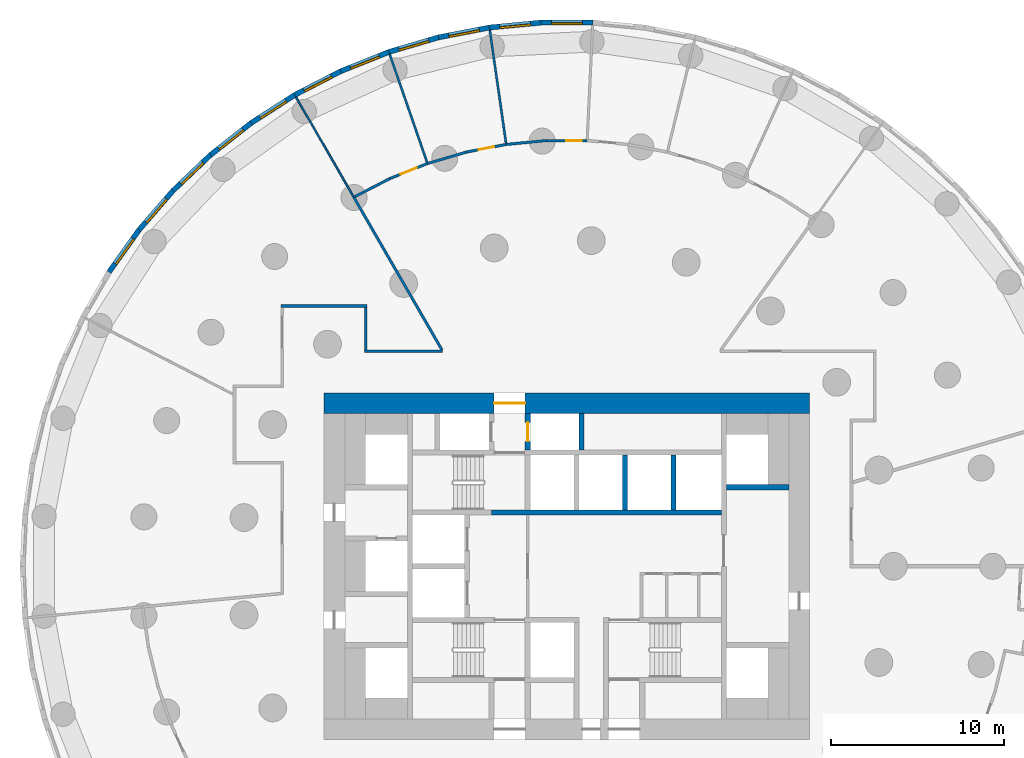
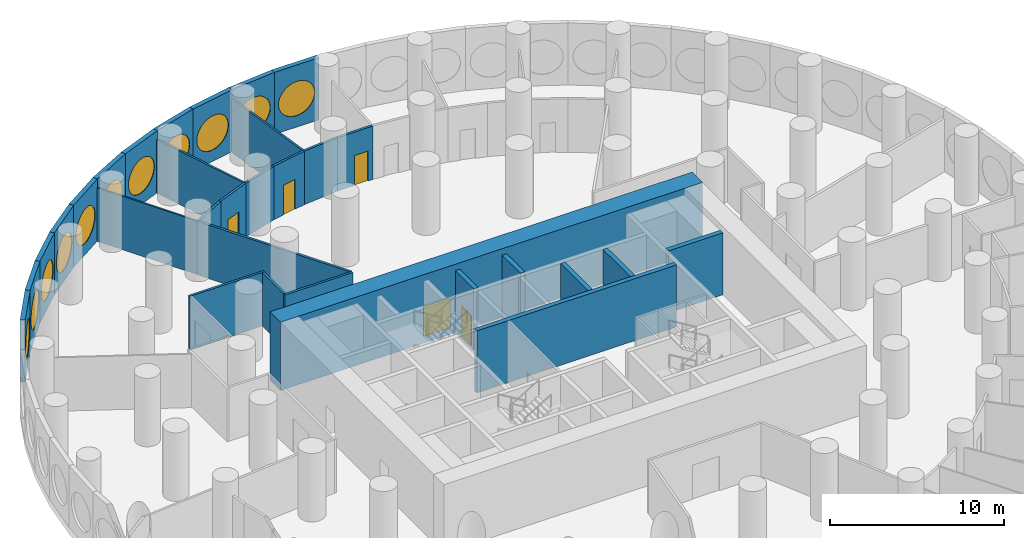
# One storey, part 7 of 11: 31 walls, 11 windows, 5 doors, 16 openings.
"""IFC4 building model written with IfcOpenShell, lengths in metres."""

from ifc_helpers import new_model, si_unit, direction, frame, frame_2d, origin, origin_2d, place, context, subcontext, project, spatial, rectangle, circle, extrude, material, layer, layer_set, type_object, element, fill, save


model = new_model("IFC4")

# Units and contexts
model_context = context("Model", 3, precision=1e-05, world=origin(), true_north=direction((0.0, 1.0)))
body_context = subcontext(model_context, "Body", "Model", "MODEL_VIEW")
ifc_project = project(units=[si_unit("LENGTHUNIT", "METRE"), si_unit("AREAUNIT", "SQUARE_METRE"), si_unit("VOLUMEUNIT", "CUBIC_METRE"), si_unit("PLANEANGLEUNIT", "RADIAN"), si_unit("MASSUNIT", "GRAM", prefix="KILO")], contexts=[model_context])

# Site, building, storey
site_placement = place(None, origin())
site = spatial("IfcSite", under=ifc_project, at=site_placement, CompositionType="ELEMENT")
building_placement = place(site_placement, origin())
building = spatial("IfcBuilding", under=site, at=building_placement, Name="Tracery Tower", CompositionType="ELEMENT")
storey_placement = place(building_placement, frame((0.0, 0.0, 18.60009765625)))
storey = spatial("IfcBuildingStorey", under=building, at=storey_placement, Name="L03", CompositionType="ELEMENT", Elevation=18.60009765625)

# Wall, opening, door
ifc_material_1 = material(Name="Concrete C60/75", Category="concrete")
ifc_layer_1 = layer(ifc_material_1, 1.199951171875)
ifc_layer_set_1 = layer_set([ifc_layer_1], Name="Core wall 1200 C60")
wall_type_1 = type_object("IfcWallType", Name="Core wall 1200 C60", PredefinedType="SOLIDWALL", material=ifc_layer_set_1)
wall_1_placement = place(storey_placement, frame((-14.0, 9.39990234375, 0.0), z_axis=(0.0, 0.0, 1.0), x_axis=(1.0, 0.0, 0.0)))
wall_1 = element("IfcWall", 1, at=wall_1_placement, inside=storey, type_object=wall_type_1, Name="L03 outer N", PredefinedType="SOLIDWALL", context=body_context, shape_type="SweptSolid", body=[
    extrude(rectangle(XDim=28.0, YDim=1.199951171875, at=frame_2d((14.0, 0.0))), origin(), (0.0, 0.0, 1.0), 4.7998046875),
])
opening_1_placement = place(wall_1_placement, frame((9.800048828125, 0.0, 0.0)))
opening_1 = element("IfcOpeningElement", 2, at=opening_1_placement, cuts=wall_1, Name="Opening KD13", PredefinedType="OPENING", context=body_context, shape_type="SweptSolid", body=[
    extrude(rectangle(XDim=1.800048828125, YDim=2.10009765625, at=frame_2d((0.89990234375, 1.050048828125))), frame((0.0, 0.60009765625, 0.0), z_axis=(0.0, -1.0, 0.0), x_axis=(1.0, 0.0, 0.0)), (0.0, 0.0, 1.0), 1.199951171875),
])
ifc_material_2 = material(Name="Steel fire door", Category="steel")
door_type_1 = type_object("IfcDoorType", Name="Core exit door 1800 double", OperationType="NOTDEFINED", PredefinedType="DOOR", material=ifc_material_2)
door_1_placement = place(opening_1_placement, origin())
door_1 = element("IfcDoor", 3, at=door_1_placement, inside=storey, type_object=door_type_1, Name="Core exit door", OperationType="DOUBLE_DOOR_SINGLE_SWING", OverallHeight=2.10009765625, OverallWidth=1.800048828125, PredefinedType="DOOR", context=body_context, shape_type="SweptSolid", body=[
    extrude(rectangle(XDim=1.800048828125, YDim=2.10009765625, at=frame_2d((0.89990234375, 1.050048828125))), frame((0.0, 0.02490234375, 0.0), z_axis=(0.0, -1.0, 0.0), x_axis=(1.0, 0.0, 0.0)), (0.0, 0.0, 1.0), 0.050048828125),
])
fill(opening_1, door_1)

# Walls
ifc_material_3 = material(Name="Plasterboard on steel studs", Category="steel")
ifc_layer_2 = layer(ifc_material_3, 0.14990234375)
ifc_layer_set_2 = layer_set([ifc_layer_2], Name="Corridor partition 150")
wall_type_2 = type_object("IfcWallType", Name="Corridor partition 150", PredefinedType="PARTITIONING", material=ifc_layer_set_2)
wall_2_placement = place(storey_placement, frame((-12.283447265625, 21.275390625, 0.0), z_axis=(0.0, 0.0, 1.0), x_axis=(0.500014995272, -0.866016746087, 0.0)))
element("IfcWall", 4, at=wall_2_placement, inside=storey, type_object=wall_type_2, Name="Corridor partition 150", PredefinedType="PARTITIONING", context=body_context, shape_type="SweptSolid", body=[
    extrude(rectangle(XDim=10.161865234375, YDim=0.14990234375, at=frame_2d((5.0810546875, 0.0))), origin(), (0.0, 0.0, 1.0), 3.75),
])
wall_3_placement = place(storey_placement, frame((-11.59765625, 12.47509765625, 0.0), z_axis=(0.0, 0.0, 1.0), x_axis=(0.0, 1.0, 0.0)))
element("IfcWall", 5, at=wall_3_placement, inside=storey, type_object=wall_type_2, Name="Corridor partition 150", PredefinedType="PARTITIONING", context=body_context, shape_type="SweptSolid", body=[
    extrude(rectangle(XDim=2.452392578125, YDim=0.14990234375, at=frame_2d((1.22607421875, 0.0))), origin(), (0.0, 0.0, 1.0), 3.75),
])
wall_4_placement = place(storey_placement, frame((-11.522705078125, 15.00244140625, 0.0), z_axis=(0.0, 0.0, 1.0), x_axis=(-1.0, 0.0, 0.0)))
element("IfcWall", 6, at=wall_4_placement, inside=storey, type_object=wall_type_2, Name="Corridor partition 150", PredefinedType="PARTITIONING", context=body_context, shape_type="SweptSolid", body=[
    extrude(rectangle(XDim=4.952392578125, YDim=0.14990234375, at=frame_2d((2.47607421875, 0.0))), origin(), (0.0, 0.0, 1.0), 3.75),
])
wall_5_placement = place(storey_placement, frame((-10.205322265625, 22.3466796875, 0.0), z_axis=(0.0, 0.0, 1.0), x_axis=(-0.888857404952, -0.458183929947, 0.0)))
element("IfcWall", 7, at=wall_5_placement, inside=storey, type_object=wall_type_2, Name="Corridor partition 150", PredefinedType="PARTITIONING", context=body_context, shape_type="SweptSolid", body=[
    extrude(rectangle(XDim=2.262939453125, YDim=0.14990234375, at=frame_2d((1.13134765625, 0.0))), origin(), (0.0, 0.0, 1.0), 3.75),
])

# Wall, opening, door
wall_6_placement = place(storey_placement, frame((-10.205322265625, 22.3466796875, 0.0), z_axis=(0.0, 0.0, 1.0), x_axis=(0.92836862221, 0.371660734133, 0.0)))
wall_6 = element("IfcWall", 8, at=wall_6_placement, inside=storey, type_object=wall_type_2, Name="Corridor partition 150", PredefinedType="PARTITIONING", context=body_context, shape_type="SweptSolid", body=[
    extrude(rectangle(XDim=2.337890625, YDim=0.14990234375, at=frame_2d((1.1689453125, 0.0))), origin(), (0.0, 0.0, 1.0), 3.75),
])
opening_2_placement = place(wall_6_placement, frame((0.6689453125, 0.0, 0.0)))
opening_2 = element("IfcOpeningElement", 9, at=opening_2_placement, cuts=wall_6, Name="Opening SB-L03-08", PredefinedType="OPENING", context=body_context, shape_type="SweptSolid", body=[
    extrude(rectangle(XDim=1.0, YDim=2.10009765625, at=frame_2d((0.5, 1.050048828125))), frame((0.0, 0.074951171875, 0.0), z_axis=(0.0, -1.0, 0.0), x_axis=(1.0, 0.0, 0.0)), (0.0, 0.0, 1.0), 0.14990234375),
])
ifc_material_4 = material(Name="Timber door leaf", Category="wood")
door_type_2 = type_object("IfcDoorType", Name="Public room door 1000", OperationType="NOTDEFINED", PredefinedType="DOOR", material=ifc_material_4)
door_2_placement = place(opening_2_placement, origin())
door_2 = element("IfcDoor", 10, at=door_2_placement, inside=storey, type_object=door_type_2, Name="Public room door 1000", OperationType="SINGLE_SWING_RIGHT", OverallHeight=2.10009765625, OverallWidth=1.0, PredefinedType="DOOR", context=body_context, shape_type="SweptSolid", body=[
    extrude(rectangle(XDim=1.0, YDim=2.10009765625, at=frame_2d((0.5, 1.050048828125))), frame((0.0, 0.02490234375, 0.0), z_axis=(0.0, -1.0, 0.0), x_axis=(1.0, 0.0, 0.0)), (0.0, 0.0, 1.0), 0.050048828125),
])
fill(opening_2, door_2)

# Walls
wall_7_placement = place(storey_placement, frame((-7.1591796875, 12.39990234375, 0.0), z_axis=(0.0, 0.0, 1.0), x_axis=(-1.0, 0.0, 0.0)))
element("IfcWall", 11, at=wall_7_placement, inside=storey, type_object=wall_type_2, Name="Corridor partition 150", PredefinedType="PARTITIONING", context=body_context, shape_type="SweptSolid", body=[
    extrude(rectangle(XDim=4.513427734375, YDim=0.14990234375, at=frame_2d((2.2568359375, 0.0))), origin(), (0.0, 0.0, 1.0), 3.75),
])
wall_8_placement = place(storey_placement, frame((-5.791748046875, 23.874267578125, 0.0), z_axis=(0.0, 0.0, 1.0), x_axis=(-0.959488462959, -0.28174791827, 0.0)))
element("IfcWall", 12, at=wall_8_placement, inside=storey, type_object=wall_type_2, Name="Corridor partition 150", PredefinedType="PARTITIONING", context=body_context, shape_type="SweptSolid", body=[
    extrude(rectangle(XDim=2.337890625, YDim=0.14990234375, at=frame_2d((1.1689453125, 0.0))), origin(), (0.0, 0.0, 1.0), 3.75),
])

# Wall, opening, door
wall_9_placement = place(storey_placement, frame((-5.791748046875, 23.874267578125, 0.0), z_axis=(0.0, 0.0, 1.0), x_axis=(0.981934124814, 0.189223081374, 0.0)))
wall_9 = element("IfcWall", 13, at=wall_9_placement, inside=storey, type_object=wall_type_2, Name="Corridor partition 150", PredefinedType="PARTITIONING", context=body_context, shape_type="SweptSolid", body=[
    extrude(rectangle(XDim=2.337890625, YDim=0.14990234375, at=frame_2d((1.1689453125, 0.0))), origin(), (0.0, 0.0, 1.0), 3.75),
])
opening_3_placement = place(wall_9_placement, frame((0.718994140625, 0.0, 0.0)))
opening_3 = element("IfcOpeningElement", 14, at=opening_3_placement, cuts=wall_9, Name="Opening SB-L03-07", PredefinedType="OPENING", context=body_context, shape_type="SweptSolid", body=[
    extrude(rectangle(XDim=0.89990234375, YDim=2.10009765625, at=frame_2d((0.449951171875, 1.050048828125))), frame((0.0, 0.074951171875, 0.0), z_axis=(0.0, -1.0, 0.0), x_axis=(1.0, 0.0, 0.0)), (0.0, 0.0, 1.0), 0.14990234375),
])
ifc_material_5 = material(Name="Timber door leaf", Category="wood")
door_type_3 = type_object("IfcDoorType", Name="Room door 900", OperationType="NOTDEFINED", PredefinedType="DOOR", material=ifc_material_5)
door_3_placement = place(opening_3_placement, origin())
door_3 = element("IfcDoor", 15, at=door_3_placement, inside=storey, type_object=door_type_3, Name="Room door 900", OperationType="SINGLE_SWING_RIGHT", OverallHeight=2.10009765625, OverallWidth=0.89990234375, PredefinedType="DOOR", context=body_context, shape_type="SweptSolid", body=[
    extrude(rectangle(XDim=0.89990234375, YDim=2.10009765625, at=frame_2d((0.449951171875, 1.050048828125))), frame((0.0, 0.02490234375, 0.0), z_axis=(0.0, -1.0, 0.0), x_axis=(1.0, 0.0, 0.0)), (0.0, 0.0, 1.0), 0.050048828125),
])
fill(opening_3, door_3)

# Wall
wall_10_placement = place(storey_placement, frame((-1.1689453125, 24.538818359375, 0.0), z_axis=(0.0, 0.0, 1.0), x_axis=(-0.995473855736, -0.095035796131, 0.0)))
element("IfcWall", 16, at=wall_10_placement, inside=storey, type_object=wall_type_2, Name="Corridor partition 150", PredefinedType="PARTITIONING", context=body_context, shape_type="SweptSolid", body=[
    extrude(rectangle(XDim=2.337646484375, YDim=0.14990234375, at=frame_2d((1.1689453125, 0.0))), origin(), (0.0, 0.0, 1.0), 3.75),
])

# Wall, opening, door
wall_11_placement = place(storey_placement, frame((-1.1689453125, 24.538818359375, 0.0), z_axis=(0.0, 0.0, 1.0), x_axis=(1.0, 0.0, 0.0)))
wall_11 = element("IfcWall", 17, at=wall_11_placement, inside=storey, type_object=wall_type_2, Name="Corridor partition 150", PredefinedType="PARTITIONING", context=body_context, shape_type="SweptSolid", body=[
    extrude(rectangle(XDim=2.337890625, YDim=0.14990234375, at=frame_2d((1.1689453125, 0.0))), origin(), (0.0, 0.0, 1.0), 3.75),
])
opening_4_placement = place(wall_11_placement, frame((1.118896484375, 0.0, 0.0)))
opening_4 = element("IfcOpeningElement", 18, at=opening_4_placement, cuts=wall_11, Name="Opening SB-L03-06", PredefinedType="OPENING", context=body_context, shape_type="SweptSolid", body=[
    extrude(rectangle(XDim=0.89990234375, YDim=2.10009765625, at=frame_2d((0.449951171875, 1.050048828125))), frame((0.0, 0.074951171875, 0.0), z_axis=(0.0, -1.0, 0.0), x_axis=(1.0, 0.0, 0.0)), (0.0, 0.0, 1.0), 0.14990234375),
])
door_4_placement = place(opening_4_placement, origin())
door_4 = element("IfcDoor", 19, at=door_4_placement, inside=storey, type_object=door_type_3, Name="Room door 900", OperationType="SINGLE_SWING_RIGHT", OverallHeight=2.10009765625, OverallWidth=0.89990234375, PredefinedType="DOOR", context=body_context, shape_type="SweptSolid", body=[
    extrude(rectangle(XDim=0.89990234375, YDim=2.10009765625, at=frame_2d((0.449951171875, 1.050048828125))), frame((0.0, 0.02490234375, 0.0), z_axis=(0.0, -1.0, 0.0), x_axis=(1.0, 0.0, 0.0)), (0.0, 0.0, 1.0), 0.050048828125),
])
fill(opening_4, door_4)

# Wall, opening, window
ifc_material_6 = material(Name="Precast concrete C50/60", Category="concrete")
ifc_layer_3 = layer(ifc_material_6, 0.300048828125)
ifc_layer_set_3 = layer_set([ifc_layer_3], Name="Facade panel 3000 x 4350")
wall_type_3 = type_object("IfcWallType", Name="Facade panel 3000 x 4350", PredefinedType="SOLIDWALL", material=ifc_layer_set_3)
wall_12_placement = place(storey_placement, frame((1.492919921875, 31.3388671875, 0.0), z_axis=(0.0, 0.0, 1.0), x_axis=(-1.0, 0.0, 0.0)))
wall_12 = element("IfcWall", 20, at=wall_12_placement, inside=storey, type_object=wall_type_3, Name="Facade panel 17 at L03", PredefinedType="SOLIDWALL", context=body_context, shape_type="SweptSolid", body=[
    extrude(rectangle(XDim=2.98583984375, YDim=0.300048828125, at=frame_2d((1.492919921875, 0.0))), origin(), (0.0, 0.0, 1.0), 4.349853515625),
])
opening_5_placement = place(wall_12_placement, frame((1.492919921875, 0.0, 2.0)))
opening_5 = element("IfcOpeningElement", 21, at=opening_5_placement, cuts=wall_12, Name="Opening WN2", PredefinedType="OPENING", context=body_context, shape_type="SweptSolid", body=[
    extrude(circle(Radius=1.199951171875, at=origin_2d()), frame((0.0, 0.159912109375, 0.0), z_axis=(0.0, -1.0, 0.0), x_axis=(1.0, 0.0, 0.0)), (0.0, 0.0, 1.0), 0.320068359375),
])
ifc_material_7 = material(Name="Aluminium frame with tinted double glazing", Category="aluminium")
window_type = type_object("IfcWindowType", Name="Round window 2400", PartitioningType="SINGLE_PANEL", PredefinedType="WINDOW", material=ifc_material_7)
window_1_placement = place(opening_5_placement, origin())
window_1 = element("IfcWindow", 22, at=window_1_placement, inside=storey, type_object=window_type, Name="Round window 17 at L03", OverallHeight=2.39990234375, OverallWidth=2.39990234375, PartitioningType="SINGLE_PANEL", PredefinedType="WINDOW", context=body_context, shape_type="SweptSolid", body=[
    extrude(circle(Radius=1.199951171875, at=origin_2d()), frame((0.0, 0.1201171875, 0.0), z_axis=(0.0, -1.0, 0.0), x_axis=(1.0, 0.0, 0.0)), (0.0, 0.0, 1.0), 0.10009765625),
])
fill(opening_5, window_1)

wall_13_placement = place(storey_placement, frame((-1.492919921875, 31.3388671875, 0.0), z_axis=(0.0, 0.0, 1.0), x_axis=(-0.99547560533, -0.095017467833, 0.0)))
wall_13 = element("IfcWall", 23, at=wall_13_placement, inside=storey, type_object=wall_type_3, Name="Facade panel 18 at L03", PredefinedType="SOLIDWALL", context=body_context, shape_type="SweptSolid", body=[
    extrude(rectangle(XDim=2.985595703125, YDim=0.300048828125, at=frame_2d((1.49267578125, 0.0))), origin(), (0.0, 0.0, 1.0), 4.349853515625),
])
opening_6_placement = place(wall_13_placement, frame((1.492919921875, 0.0, 2.0)))
opening_6 = element("IfcOpeningElement", 24, at=opening_6_placement, cuts=wall_13, Name="Opening WN2", PredefinedType="OPENING", context=body_context, shape_type="SweptSolid", body=[
    extrude(circle(Radius=1.199951171875, at=origin_2d()), frame((0.0, 0.159912109375, 0.0), z_axis=(0.0, -1.0, 0.0), x_axis=(1.0, 0.0, 0.0)), (0.0, 0.0, 1.0), 0.320068359375),
])
window_2_placement = place(opening_6_placement, origin())
window_2 = element("IfcWindow", 25, at=window_2_placement, inside=storey, type_object=window_type, Name="Round window 18 at L03", OverallHeight=2.39990234375, OverallWidth=2.39990234375, PartitioningType="SINGLE_PANEL", PredefinedType="WINDOW", context=body_context, shape_type="SweptSolid", body=[
    extrude(circle(Radius=1.199951171875, at=origin_2d()), frame((0.0, 0.1201171875, 0.0), z_axis=(0.0, -1.0, 0.0), x_axis=(1.0, 0.0, 0.0)), (0.0, 0.0, 1.0), 0.10009765625),
])
fill(opening_6, window_2)

wall_14_placement = place(storey_placement, frame((-4.465087890625, 31.05517578125, 0.0), z_axis=(0.0, 0.0, 1.0), x_axis=(-0.981918853666, -0.189302310646, 0.0)))
wall_14 = element("IfcWall", 26, at=wall_14_placement, inside=storey, type_object=wall_type_3, Name="Facade panel 19 at L03", PredefinedType="SOLIDWALL", context=body_context, shape_type="SweptSolid", body=[
    extrude(rectangle(XDim=2.985595703125, YDim=0.300048828125, at=frame_2d((1.49267578125, 0.0))), origin(), (0.0, 0.0, 1.0), 4.349853515625),
])
opening_7_placement = place(wall_14_placement, frame((1.492919921875, 0.0, 2.0)))
opening_7 = element("IfcOpeningElement", 27, at=opening_7_placement, cuts=wall_14, Name="Opening WN2", PredefinedType="OPENING", context=body_context, shape_type="SweptSolid", body=[
    extrude(circle(Radius=1.199951171875, at=origin_2d()), frame((0.0, 0.159912109375, 0.0), z_axis=(0.0, -1.0, 0.0), x_axis=(1.0, 0.0, 0.0)), (0.0, 0.0, 1.0), 0.320068359375),
])
window_3_placement = place(opening_7_placement, origin())
window_3 = element("IfcWindow", 28, at=window_3_placement, inside=storey, type_object=window_type, Name="Round window 19 at L03", OverallHeight=2.39990234375, OverallWidth=2.39990234375, PartitioningType="SINGLE_PANEL", PredefinedType="WINDOW", context=body_context, shape_type="SweptSolid", body=[
    extrude(circle(Radius=1.199951171875, at=origin_2d()), frame((0.0, 0.1201171875, 0.0), z_axis=(0.0, -1.0, 0.0), x_axis=(1.0, 0.0, 0.0)), (0.0, 0.0, 1.0), 0.10009765625),
])
fill(opening_7, window_3)

wall_15_placement = place(storey_placement, frame((-7.396728515625, 30.489990234375, 0.0), z_axis=(0.0, 0.0, 1.0), x_axis=(-0.959502108153, -0.281701445593, 0.0)))
wall_15 = element("IfcWall", 29, at=wall_15_placement, inside=storey, type_object=wall_type_3, Name="Facade panel 20 at L03", PredefinedType="SOLIDWALL", context=body_context, shape_type="SweptSolid", body=[
    extrude(rectangle(XDim=2.985595703125, YDim=0.300048828125, at=frame_2d((1.49267578125, 0.0))), origin(), (0.0, 0.0, 1.0), 4.349853515625),
])
opening_8_placement = place(wall_15_placement, frame((1.492919921875, 0.0, 2.0)))
opening_8 = element("IfcOpeningElement", 30, at=opening_8_placement, cuts=wall_15, Name="Opening WN2", PredefinedType="OPENING", context=body_context, shape_type="SweptSolid", body=[
    extrude(circle(Radius=1.199951171875, at=origin_2d()), frame((0.0, 0.159912109375, 0.0), z_axis=(0.0, -1.0, 0.0), x_axis=(1.0, 0.0, 0.0)), (0.0, 0.0, 1.0), 0.320068359375),
])
window_4_placement = place(opening_8_placement, origin())
window_4 = element("IfcWindow", 31, at=window_4_placement, inside=storey, type_object=window_type, Name="Round window 20 at L03", OverallHeight=2.39990234375, OverallWidth=2.39990234375, PartitioningType="SINGLE_PANEL", PredefinedType="WINDOW", context=body_context, shape_type="SweptSolid", body=[
    extrude(circle(Radius=1.199951171875, at=origin_2d()), frame((0.0, 0.1201171875, 0.0), z_axis=(0.0, -1.0, 0.0), x_axis=(1.0, 0.0, 0.0)), (0.0, 0.0, 1.0), 0.10009765625),
])
fill(opening_8, window_4)

wall_16_placement = place(storey_placement, frame((-10.261474609375, 29.64892578125, 0.0), z_axis=(0.0, 0.0, 1.0), x_axis=(-0.928380795373, -0.371630325434, 0.0)))
wall_16 = element("IfcWall", 32, at=wall_16_placement, inside=storey, type_object=wall_type_3, Name="Facade panel 21 at L03", PredefinedType="SOLIDWALL", context=body_context, shape_type="SweptSolid", body=[
    extrude(rectangle(XDim=2.98583984375, YDim=0.300048828125, at=frame_2d((1.492919921875, 0.0))), origin(), (0.0, 0.0, 1.0), 4.349853515625),
])
opening_9_placement = place(wall_16_placement, frame((1.492919921875, 0.0, 2.0)))
opening_9 = element("IfcOpeningElement", 33, at=opening_9_placement, cuts=wall_16, Name="Opening WN2", PredefinedType="OPENING", context=body_context, shape_type="SweptSolid", body=[
    extrude(circle(Radius=1.199951171875, at=origin_2d()), frame((0.0, 0.159912109375, 0.0), z_axis=(0.0, -1.0, 0.0), x_axis=(1.0, 0.0, 0.0)), (0.0, 0.0, 1.0), 0.320068359375),
])
window_5_placement = place(opening_9_placement, origin())
window_5 = element("IfcWindow", 34, at=window_5_placement, inside=storey, type_object=window_type, Name="Round window 21 at L03", OverallHeight=2.39990234375, OverallWidth=2.39990234375, PartitioningType="SINGLE_PANEL", PredefinedType="WINDOW", context=body_context, shape_type="SweptSolid", body=[
    extrude(circle(Radius=1.199951171875, at=origin_2d()), frame((0.0, 0.1201171875, 0.0), z_axis=(0.0, -1.0, 0.0), x_axis=(1.0, 0.0, 0.0)), (0.0, 0.0, 1.0), 0.10009765625),
])
fill(opening_9, window_5)

wall_17_placement = place(storey_placement, frame((-13.033447265625, 28.539306640625, 0.0), z_axis=(0.0, 0.0, 1.0), x_axis=(-0.888831268481, -0.458234630043, 0.0)))
wall_17 = element("IfcWall", 35, at=wall_17_placement, inside=storey, type_object=wall_type_3, Name="Facade panel 22 at L03", PredefinedType="SOLIDWALL", context=body_context, shape_type="SweptSolid", body=[
    extrude(rectangle(XDim=2.98583984375, YDim=0.300048828125, at=frame_2d((1.492919921875, 0.0))), origin(), (0.0, 0.0, 1.0), 4.349853515625),
])
opening_10_placement = place(wall_17_placement, frame((1.492919921875, 0.0, 2.0)))
opening_10 = element("IfcOpeningElement", 36, at=opening_10_placement, cuts=wall_17, Name="Opening WN2", PredefinedType="OPENING", context=body_context, shape_type="SweptSolid", body=[
    extrude(circle(Radius=1.199951171875, at=origin_2d()), frame((0.0, 0.159912109375, 0.0), z_axis=(0.0, -1.0, 0.0), x_axis=(1.0, 0.0, 0.0)), (0.0, 0.0, 1.0), 0.320068359375),
])
window_6_placement = place(opening_10_placement, origin())
window_6 = element("IfcWindow", 37, at=window_6_placement, inside=storey, type_object=window_type, Name="Round window 22 at L03", OverallHeight=2.39990234375, OverallWidth=2.39990234375, PartitioningType="SINGLE_PANEL", PredefinedType="WINDOW", context=body_context, shape_type="SweptSolid", body=[
    extrude(circle(Radius=1.199951171875, at=origin_2d()), frame((0.0, 0.1201171875, 0.0), z_axis=(0.0, -1.0, 0.0), x_axis=(1.0, 0.0, 0.0)), (0.0, 0.0, 1.0), 0.10009765625),
])
fill(opening_10, window_6)

wall_18_placement = place(storey_placement, frame((-15.687255859375, 27.171142578125, 0.0), z_axis=(0.0, 0.0, 1.0), x_axis=(-0.841242231846, -0.540658401727, 0.0)))
wall_18 = element("IfcWall", 38, at=wall_18_placement, inside=storey, type_object=wall_type_3, Name="Facade panel 23 at L03", PredefinedType="SOLIDWALL", context=body_context, shape_type="SweptSolid", body=[
    extrude(rectangle(XDim=2.98583984375, YDim=0.300048828125, at=frame_2d((1.492919921875, 0.0))), origin(), (0.0, 0.0, 1.0), 4.349853515625),
])
opening_11_placement = place(wall_18_placement, frame((1.492919921875, 0.0, 2.0)))
opening_11 = element("IfcOpeningElement", 39, at=opening_11_placement, cuts=wall_18, Name="Opening WN2", PredefinedType="OPENING", context=body_context, shape_type="SweptSolid", body=[
    extrude(circle(Radius=1.199951171875, at=origin_2d()), frame((0.0, 0.159912109375, 0.0), z_axis=(0.0, -1.0, 0.0), x_axis=(1.0, 0.0, 0.0)), (0.0, 0.0, 1.0), 0.320068359375),
])
window_7_placement = place(opening_11_placement, origin())
window_7 = element("IfcWindow", 40, at=window_7_placement, inside=storey, type_object=window_type, Name="Round window 23 at L03", OverallHeight=2.39990234375, OverallWidth=2.39990234375, PartitioningType="SINGLE_PANEL", PredefinedType="WINDOW", context=body_context, shape_type="SweptSolid", body=[
    extrude(circle(Radius=1.199951171875, at=origin_2d()), frame((0.0, 0.1201171875, 0.0), z_axis=(0.0, -1.0, 0.0), x_axis=(1.0, 0.0, 0.0)), (0.0, 0.0, 1.0), 0.10009765625),
])
fill(opening_11, window_7)

wall_19_placement = place(storey_placement, frame((-18.198974609375, 25.556884765625, 0.0), z_axis=(0.0, 0.0, 1.0), x_axis=(-0.786043032847, -0.618171780747, 0.0)))
wall_19 = element("IfcWall", 41, at=wall_19_placement, inside=storey, type_object=wall_type_3, Name="Facade panel 24 at L03", PredefinedType="SOLIDWALL", context=body_context, shape_type="SweptSolid", body=[
    extrude(rectangle(XDim=2.98583984375, YDim=0.300048828125, at=frame_2d((1.492919921875, 0.0))), origin(), (0.0, 0.0, 1.0), 4.349853515625),
])
opening_12_placement = place(wall_19_placement, frame((1.492919921875, 0.0, 2.0)))
opening_12 = element("IfcOpeningElement", 42, at=opening_12_placement, cuts=wall_19, Name="Opening WN2", PredefinedType="OPENING", context=body_context, shape_type="SweptSolid", body=[
    extrude(circle(Radius=1.199951171875, at=origin_2d()), frame((0.0, 0.159912109375, 0.0), z_axis=(0.0, -1.0, 0.0), x_axis=(1.0, 0.0, 0.0)), (0.0, 0.0, 1.0), 0.320068359375),
])
window_8_placement = place(opening_12_placement, origin())
window_8 = element("IfcWindow", 43, at=window_8_placement, inside=storey, type_object=window_type, Name="Round window 24 at L03", OverallHeight=2.39990234375, OverallWidth=2.39990234375, PartitioningType="SINGLE_PANEL", PredefinedType="WINDOW", context=body_context, shape_type="SweptSolid", body=[
    extrude(circle(Radius=1.199951171875, at=origin_2d()), frame((0.0, 0.1201171875, 0.0), z_axis=(0.0, -1.0, 0.0), x_axis=(1.0, 0.0, 0.0)), (0.0, 0.0, 1.0), 0.10009765625),
])
fill(opening_12, window_8)

wall_20_placement = place(storey_placement, frame((-20.5458984375, 23.711181640625, 0.0), z_axis=(0.0, 0.0, 1.0), x_axis=(-0.723750841228, -0.690061388444, 0.0)))
wall_20 = element("IfcWall", 44, at=wall_20_placement, inside=storey, type_object=wall_type_3, Name="Facade panel 25 at L03", PredefinedType="SOLIDWALL", context=body_context, shape_type="SweptSolid", body=[
    extrude(rectangle(XDim=2.985595703125, YDim=0.300048828125, at=frame_2d((1.49267578125, 0.0))), origin(), (0.0, 0.0, 1.0), 4.349853515625),
])
opening_13_placement = place(wall_20_placement, frame((1.492919921875, 0.0, 2.0)))
opening_13 = element("IfcOpeningElement", 45, at=opening_13_placement, cuts=wall_20, Name="Opening WN2", PredefinedType="OPENING", context=body_context, shape_type="SweptSolid", body=[
    extrude(circle(Radius=1.199951171875, at=origin_2d()), frame((0.0, 0.159912109375, 0.0), z_axis=(0.0, -1.0, 0.0), x_axis=(1.0, 0.0, 0.0)), (0.0, 0.0, 1.0), 0.320068359375),
])
window_9_placement = place(opening_13_placement, origin())
window_9 = element("IfcWindow", 46, at=window_9_placement, inside=storey, type_object=window_type, Name="Round window 25 at L03", OverallHeight=2.39990234375, OverallWidth=2.39990234375, PartitioningType="SINGLE_PANEL", PredefinedType="WINDOW", context=body_context, shape_type="SweptSolid", body=[
    extrude(circle(Radius=1.199951171875, at=origin_2d()), frame((0.0, 0.1201171875, 0.0), z_axis=(0.0, -1.0, 0.0), x_axis=(1.0, 0.0, 0.0)), (0.0, 0.0, 1.0), 0.10009765625),
])
fill(opening_13, window_9)

wall_21_placement = place(storey_placement, frame((-22.706787109375, 21.65087890625, 0.0), z_axis=(0.0, 0.0, 1.0), x_axis=(-0.654809121128, -0.755794294029, 0.0)))
wall_21 = element("IfcWall", 47, at=wall_21_placement, inside=storey, type_object=wall_type_3, Name="Facade panel 26 at L03", PredefinedType="SOLIDWALL", context=body_context, shape_type="SweptSolid", body=[
    extrude(rectangle(XDim=2.98583984375, YDim=0.300048828125, at=frame_2d((1.492919921875, 0.0))), origin(), (0.0, 0.0, 1.0), 4.349853515625),
])
opening_14_placement = place(wall_21_placement, frame((1.492919921875, 0.0, 2.0)))
opening_14 = element("IfcOpeningElement", 48, at=opening_14_placement, cuts=wall_21, Name="Opening WN2", PredefinedType="OPENING", context=body_context, shape_type="SweptSolid", body=[
    extrude(circle(Radius=1.199951171875, at=origin_2d()), frame((0.0, 0.159912109375, 0.0), z_axis=(0.0, -1.0, 0.0), x_axis=(1.0, 0.0, 0.0)), (0.0, 0.0, 1.0), 0.320068359375),
])
window_10_placement = place(opening_14_placement, origin())
window_10 = element("IfcWindow", 49, at=window_10_placement, inside=storey, type_object=window_type, Name="Round window 26 at L03", OverallHeight=2.39990234375, OverallWidth=2.39990234375, PartitioningType="SINGLE_PANEL", PredefinedType="WINDOW", context=body_context, shape_type="SweptSolid", body=[
    extrude(circle(Radius=1.199951171875, at=origin_2d()), frame((0.0, 0.1201171875, 0.0), z_axis=(0.0, -1.0, 0.0), x_axis=(1.0, 0.0, 0.0)), (0.0, 0.0, 1.0), 0.10009765625),
])
fill(opening_14, window_10)

wall_22_placement = place(storey_placement, frame((-24.661865234375, 19.394287109375, 0.0), z_axis=(0.0, 0.0, 1.0), x_axis=(-0.580100533892, -0.814544885551, 0.0)))
wall_22 = element("IfcWall", 50, at=wall_22_placement, inside=storey, type_object=wall_type_3, Name="Facade panel 27 at L03", PredefinedType="SOLIDWALL", context=body_context, shape_type="SweptSolid", body=[
    extrude(rectangle(XDim=2.985595703125, YDim=0.300048828125, at=frame_2d((1.49267578125, 0.0))), origin(), (0.0, 0.0, 1.0), 4.349853515625),
])
opening_15_placement = place(wall_22_placement, frame((1.492919921875, 0.0, 2.0)))
opening_15 = element("IfcOpeningElement", 51, at=opening_15_placement, cuts=wall_22, Name="Opening WN2", PredefinedType="OPENING", context=body_context, shape_type="SweptSolid", body=[
    extrude(circle(Radius=1.199951171875, at=origin_2d()), frame((0.0, 0.159912109375, 0.0), z_axis=(0.0, -1.0, 0.0), x_axis=(1.0, 0.0, 0.0)), (0.0, 0.0, 1.0), 0.320068359375),
])
window_11_placement = place(opening_15_placement, origin())
window_11 = element("IfcWindow", 52, at=window_11_placement, inside=storey, type_object=window_type, Name="Round window 27 at L03", OverallHeight=2.39990234375, OverallWidth=2.39990234375, PartitioningType="SINGLE_PANEL", PredefinedType="WINDOW", context=body_context, shape_type="SweptSolid", body=[
    extrude(circle(Radius=1.199951171875, at=origin_2d()), frame((0.0, 0.1201171875, 0.0), z_axis=(0.0, -1.0, 0.0), x_axis=(1.0, 0.0, 0.0)), (0.0, 0.0, 1.0), 0.10009765625),
])
fill(opening_15, window_11)

# Walls
ifc_material_8 = material(Name="Concrete C60/75", Category="concrete")
ifc_layer_4 = layer(ifc_material_8, 0.300048828125)
ifc_layer_set_4 = layer_set([ifc_layer_4], Name="Shaft wall 300 C60")
wall_type_4 = type_object("IfcWallType", Name="Shaft wall 300 C60", PredefinedType="SOLIDWALL", material=ifc_layer_set_4)
for number, where, z_axis, x_axis, name in (
    (53, (3.35009765625, 3.25, 0.0), (0.0, 0.0, 1.0), (0.0, 1.0, 0.0), "L03 HR sep 2"),
    (54, (6.14990234375, 3.25, 0.0), (0.0, 0.0, 1.0), (0.0, 1.0, 0.0), "L03 HR sep 3"),
):
    element("IfcWall", number, at=place(storey_placement, frame(where, z_axis=z_axis, x_axis=x_axis)), inside=storey, type_object=wall_type_4, Name=name, PredefinedType="SOLIDWALL", context=body_context, shape_type="SweptSolid", body=[
        extrude(rectangle(XDim=3.14990234375, YDim=0.300048828125, at=frame_2d((1.574951171875, 0.0))), origin(), (0.0, 0.0, 1.0), 4.349853515625),
    ])
wall_23_placement = place(storey_placement, frame((0.85009765625, 6.699951171875, 0.0), z_axis=(0.0, 0.0, 1.0), x_axis=(0.0, 1.0, 0.0)))
element("IfcWall", 55, at=wall_23_placement, inside=storey, type_object=wall_type_4, Name="L03 LR sep 0.85", PredefinedType="SOLIDWALL", context=body_context, shape_type="SweptSolid", body=[
    extrude(rectangle(XDim=2.10009765625, YDim=0.300048828125, at=frame_2d((1.050048828125, 0.0))), origin(), (0.0, 0.0, 1.0), 4.349853515625),
])
wall_24_placement = place(storey_placement, frame((9.199951171875, 4.550048828125, 0.0), z_axis=(0.0, 0.0, 1.0), x_axis=(1.0, 0.0, 0.0)))
element("IfcWall", 56, at=wall_24_placement, inside=storey, type_object=wall_type_4, Name="L03 wing shaft wall +1 +4.55", PredefinedType="SOLIDWALL", context=body_context, shape_type="SweptSolid", body=[
    extrude(rectangle(XDim=3.60009765625, YDim=0.300048828125, at=frame_2d((1.800048828125, 0.0))), origin(), (0.0, 0.0, 1.0), 4.349853515625),
])
ifc_material_9 = material(Name="Concrete C60/75", Category="concrete")
ifc_layer_5 = layer(ifc_material_9, 0.300048828125)
ifc_layer_set_5 = layer_set([ifc_layer_5], Name="Stair wall 300 C60")
wall_type_5 = type_object("IfcWallType", Name="Stair wall 300 C60", PredefinedType="SOLIDWALL", material=ifc_layer_set_5)
wall_25_placement = place(storey_placement, frame((-4.35009765625, 3.10009765625, 0.0), z_axis=(0.0, 0.0, 1.0), x_axis=(1.0, 0.0, 0.0)))
element("IfcWall", 57, at=wall_25_placement, inside=storey, type_object=wall_type_5, Name="L03 row N", PredefinedType="SOLIDWALL", context=body_context, shape_type="SweptSolid", body=[
    extrude(rectangle(XDim=13.25, YDim=0.300048828125, at=frame_2d((6.625, 0.0))), origin(), (0.0, 0.0, 1.0), 4.349853515625),
])

# Wall, opening, door
wall_26_placement = place(storey_placement, frame((-2.25, 6.699951171875, 0.0), z_axis=(0.0, 0.0, 1.0), x_axis=(0.0, 1.0, 0.0)))
wall_26 = element("IfcWall", 58, at=wall_26_placement, inside=storey, type_object=wall_type_5, Name="L03 ST3 E out", PredefinedType="SOLIDWALL", context=body_context, shape_type="SweptSolid", body=[
    extrude(rectangle(XDim=2.10009765625, YDim=0.300048828125, at=frame_2d((1.050048828125, 0.0))), origin(), (0.0, 0.0, 1.0), 4.349853515625),
])
opening_16_placement = place(wall_26_placement, frame((0.5, 0.0, 0.0)))
opening_16 = element("IfcOpeningElement", 59, at=opening_16_placement, cuts=wall_26, Name="Opening KD49", PredefinedType="OPENING", context=body_context, shape_type="SweptSolid", body=[
    extrude(rectangle(XDim=1.10009765625, YDim=2.10009765625, at=frame_2d((0.550048828125, 1.050048828125))), frame((0.0, 0.14990234375, 0.0), z_axis=(0.0, -1.0, 0.0), x_axis=(1.0, 0.0, 0.0)), (0.0, 0.0, 1.0), 0.300048828125),
])
ifc_material_10 = material(Name="Steel fire door", Category="steel")
door_type_4 = type_object("IfcDoorType", Name="Landing door 1100", OperationType="NOTDEFINED", PredefinedType="DOOR", material=ifc_material_10)
door_5_placement = place(opening_16_placement, origin())
door_5 = element("IfcDoor", 60, at=door_5_placement, inside=storey, type_object=door_type_4, Name="Landing door LR2", OperationType="SLIDING_TO_LEFT", OverallHeight=2.10009765625, OverallWidth=1.10009765625, PredefinedType="DOOR", context=body_context, shape_type="SweptSolid", body=[
    extrude(rectangle(XDim=1.10009765625, YDim=2.10009765625, at=frame_2d((0.550048828125, 1.050048828125))), frame((0.0, 0.02490234375, 0.0), z_axis=(0.0, -1.0, 0.0), x_axis=(1.0, 0.0, 0.0)), (0.0, 0.0, 1.0), 0.050048828125),
])
fill(opening_16, door_5)

# Walls
ifc_material_11 = material(Name="Plasterboard on steel studs", Category="steel")
ifc_layer_6 = layer(ifc_material_11, 0.10009765625)
ifc_layer_set_6 = layer_set([ifc_layer_6], Name="Stud partition 100")
wall_type_6 = type_object("IfcWallType", Name="Stud partition 100", PredefinedType="PARTITIONING", material=ifc_layer_set_6)
wall_27_placement = place(storey_placement, frame((-15.612060546875, 27.041015625, 0.0), z_axis=(0.0, 0.0, 1.0), x_axis=(0.499980638446, -0.866036581894, 0.0)))
element("IfcWall", 61, at=wall_27_placement, inside=storey, type_object=wall_type_6, Name="Stud partition 100", PredefinedType="PARTITIONING", context=body_context, shape_type="SweptSolid", body=[
    extrude(rectangle(XDim=6.657470703125, YDim=0.10009765625, at=frame_2d((3.32861328125, 0.0))), origin(), (0.0, 0.0, 1.0), 3.75),
])
ifc_material_12 = material(Name="Plasterboard on steel studs", Category="steel")
ifc_layer_7 = layer(ifc_material_12, 0.125)
ifc_layer_set_7 = layer_set([ifc_layer_7], Name="Wet area partition 125")
wall_type_7 = type_object("IfcWallType", Name="Wet area partition 125", PredefinedType="PARTITIONING", material=ifc_layer_set_7)
wall_28_placement = place(storey_placement, frame((-10.21240234375, 29.507080078125, 0.0), z_axis=(0.0, 0.0, 1.0), x_axis=(0.327055786406, -0.945005033097, 0.0)))
element("IfcWall", 62, at=wall_28_placement, inside=storey, type_object=wall_type_7, Name="Wet area partition 125", PredefinedType="PARTITIONING", context=body_context, shape_type="SweptSolid", body=[
    extrude(rectangle(XDim=6.58251953125, YDim=0.125, at=frame_2d((3.291259765625, 0.0))), origin(), (0.0, 0.0, 1.0), 3.75),
])
wall_29_placement = place(storey_placement, frame((-4.443603515625, 30.906494140625, 0.0), z_axis=(0.0, 0.0, 1.0), x_axis=(0.142314426487, -0.989821501087, 0.0)))
element("IfcWall", 63, at=wall_29_placement, inside=storey, type_object=wall_type_7, Name="Wet area partition 125", PredefinedType="PARTITIONING", context=body_context, shape_type="SweptSolid", body=[
    extrude(rectangle(XDim=6.582275390625, YDim=0.125, at=frame_2d((3.291015625, 0.0))), origin(), (0.0, 0.0, 1.0), 3.75),
])

save(model, "model.ifc")
